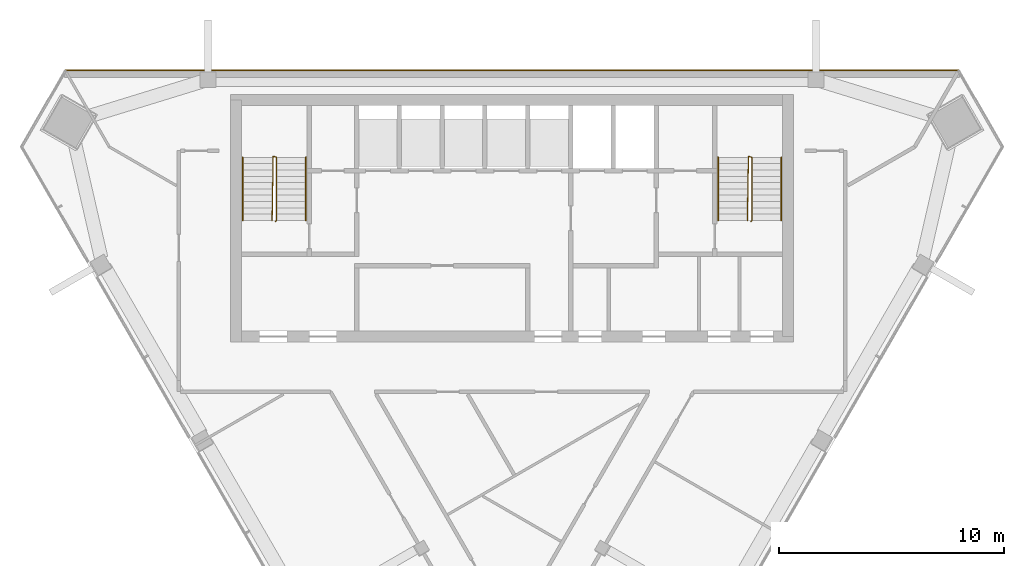
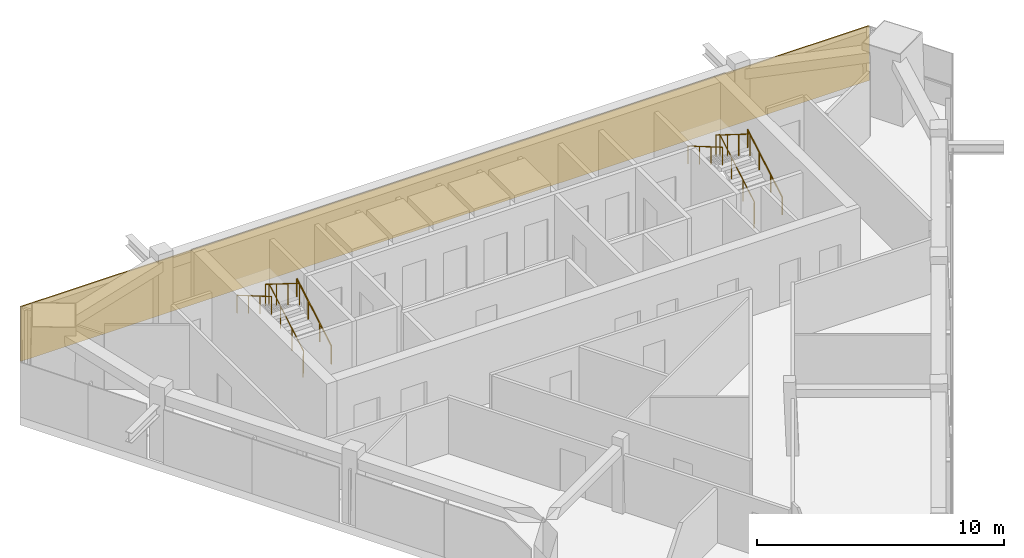
# One storey, part 8 of 9: 6 railings, 1 covering.
"""IFC4 building model written with IfcOpenShell, lengths in metres."""

from ifc_helpers import new_model, si_unit, direction, frame, frame_2d, origin, origin_2d, place, context, subcontext, project, spatial, rectangle, circle, extrude, material, layer, layer_set, type_object, element, save


model = new_model("IFC4")

# Units and contexts
model_context = context("Model", 3, precision=1e-05, world=origin(), true_north=direction((0.0, 1.0)))
body_context = subcontext(model_context, "Body", "Model", "MODEL_VIEW")
ifc_project = project(units=[si_unit("LENGTHUNIT", "METRE"), si_unit("AREAUNIT", "SQUARE_METRE"), si_unit("VOLUMEUNIT", "CUBIC_METRE"), si_unit("PLANEANGLEUNIT", "RADIAN"), si_unit("MASSUNIT", "GRAM", prefix="KILO")], contexts=[model_context])

# Site, building, storey
site_placement = place(None, origin())
site = spatial("IfcSite", under=ifc_project, at=site_placement, CompositionType="ELEMENT")
building_placement = place(site_placement, origin())
building = spatial("IfcBuilding", under=site, at=building_placement, Name="Altiplano Prism Tower", CompositionType="ELEMENT")
storey_placement = place(building_placement, frame((0.0, 0.0, 309.39990234375)))
storey = spatial("IfcBuildingStorey", under=building, at=storey_placement, Name="L80", CompositionType="ELEMENT", Elevation=309.39990234375)

# Railings
ifc_material_1 = material(Name="Steel S355", Category="steel")
railing_type_1 = type_object("IfcRailingType", Name="Stair guard 1100", PredefinedType="GUARDRAIL", material=ifc_material_1)
railing_1_placement = place(storey_placement, frame((74.5, 98.25, 0.0)))
element("IfcRailing", 1, at=railing_1_placement, inside=storey, type_object=railing_type_1, Name="L80 ST1 stair guard 1", PredefinedType="GUARDRAIL", context=body_context, shape_type="SweptSolid", body=[
    extrude(circle(Radius=0.02392578125, at=origin_2d()), frame((0.0, 0.0, 1.076171875), z_axis=(0.280456126637, 0.280456126637, 0.917980785237), x_axis=(-0.707106781187, 0.707106781187, 0.0)), (0.0, 0.0, 1.0), 0.178466796875),
    extrude(circle(Radius=0.02392578125, at=origin_2d()), frame((0.050048828125, 0.050048828125, 1.23974609375), z_axis=(0.0, 0.863393664356, 0.504530851732), x_axis=(-1.0, 0.0, 0.0)), (0.0, 0.0, 1.0), 3.2431640625),
    extrude(circle(Radius=0.02392578125, at=origin_2d()), frame((0.050048828125, 2.85009765625, 2.8759765625), z_axis=(-0.949145278916, 0.314838433982, 0.0), x_axis=(-0.314838433982, -0.949145278916, 0.0)), (0.0, 0.0, 1.0), 0.158203125),
    extrude(circle(Radius=0.02392578125, at=origin_2d()), frame((-0.10009765625, 2.89990234375, 2.8759765625), z_axis=(-0.01477401265, -0.845377694409, 0.533964682676), x_axis=(0.999847325713, -0.01747355902, 0.0)), (0.0, 0.0, 1.0), 3.37109375),
    extrude(circle(Radius=0.02099609375, at=origin_2d()), origin(), (0.0, 0.0, 1.0), 1.052001953125),
    extrude(circle(Radius=0.02099609375, at=origin_2d()), frame((0.050048828125, 0.050048828125, 0.163818359375)), (0.0, 0.0, 1.0), 1.052001953125),
    extrude(circle(Radius=0.02099609375, at=origin_2d()), frame((0.050048828125, 0.9833984375, 0.709228515625)), (0.0, 0.0, 1.0), 1.052001953125),
    extrude(circle(Radius=0.02099609375, at=origin_2d()), frame((0.050048828125, 1.916748046875, 1.254638671875)), (0.0, 0.0, 1.0), 1.052001953125),
    extrude(circle(Radius=0.02099609375, at=origin_2d()), frame((0.050048828125, 2.85009765625, 1.800048828125)), (0.0, 0.0, 1.0), 1.052001953125),
    extrude(circle(Radius=0.02099609375, at=origin_2d()), frame((-0.10009765625, 2.89990234375, 1.800048828125)), (0.0, 0.0, 1.0), 1.052001953125),
    extrude(circle(Radius=0.02099609375, at=origin_2d()), frame((-0.11669921875, 1.949951171875, 2.400146484375)), (0.0, 0.0, 1.0), 1.052001953125),
    extrude(circle(Radius=0.02099609375, at=origin_2d()), frame((-0.13330078125, 1.0, 3.0)), (0.0, 0.0, 1.0), 1.052001953125),
    extrude(circle(Radius=0.02099609375, at=origin_2d()), frame((-0.14990234375, 0.050048828125, 3.60009765625)), (0.0, 0.0, 1.0), 1.052001953125),
])
railing_2_placement = place(storey_placement, frame((95.60009765625, 98.25, 0.0)))
element("IfcRailing", 2, at=railing_2_placement, inside=storey, type_object=railing_type_1, Name="L80 ST2 stair guard 1", PredefinedType="GUARDRAIL", context=body_context, shape_type="SweptSolid", body=[
    extrude(circle(Radius=0.02392578125, at=origin_2d()), frame((0.0, 0.0, 1.076171875), z_axis=(0.279194930351, 0.280563532951, 0.91833234444), x_axis=(-0.708833529934, 0.705375805398, 0.0)), (0.0, 0.0, 1.0), 0.178466796875),
    extrude(circle(Radius=0.02392578125, at=origin_2d()), frame((0.0498046875, 0.050048828125, 1.23974609375), z_axis=(0.0, 0.863393664356, 0.504530851732), x_axis=(-1.0, 0.0, 0.0)), (0.0, 0.0, 1.0), 3.2431640625),
    extrude(circle(Radius=0.02392578125, at=origin_2d()), frame((0.0498046875, 2.85009765625, 2.8759765625), z_axis=(-0.948991962702, 0.315300261223, 0.0), x_axis=(-0.315300261223, -0.948991962702, 0.0)), (0.0, 0.0, 1.0), 0.157958984375),
    extrude(circle(Radius=0.02392578125, at=origin_2d()), frame((-0.10009765625, 2.89990234375, 2.8759765625), z_axis=(-0.014846418356, -0.845376787675, 0.533964109957), x_axis=(0.999845825584, -0.017559187376, 0.0)), (0.0, 0.0, 1.0), 3.37109375),
    extrude(circle(Radius=0.02099609375, at=origin_2d()), origin(), (0.0, 0.0, 1.0), 1.052001953125),
    extrude(circle(Radius=0.02099609375, at=origin_2d()), frame((0.0498046875, 0.050048828125, 0.163818359375)), (0.0, 0.0, 1.0), 1.052001953125),
    extrude(circle(Radius=0.02099609375, at=origin_2d()), frame((0.0498046875, 0.9833984375, 0.709228515625)), (0.0, 0.0, 1.0), 1.052001953125),
    extrude(circle(Radius=0.02099609375, at=origin_2d()), frame((0.0498046875, 1.916748046875, 1.254638671875)), (0.0, 0.0, 1.0), 1.052001953125),
    extrude(circle(Radius=0.02099609375, at=origin_2d()), frame((0.0498046875, 2.85009765625, 1.800048828125)), (0.0, 0.0, 1.0), 1.052001953125),
    extrude(circle(Radius=0.02099609375, at=origin_2d()), frame((-0.10009765625, 2.89990234375, 1.800048828125)), (0.0, 0.0, 1.0), 1.052001953125),
    extrude(circle(Radius=0.02099609375, at=origin_2d()), frame((-0.11669921875, 1.949951171875, 2.400146484375)), (0.0, 0.0, 1.0), 1.052001953125),
    extrude(circle(Radius=0.02099609375, at=origin_2d()), frame((-0.133544921875, 1.0, 3.0)), (0.0, 0.0, 1.0), 1.052001953125),
    extrude(circle(Radius=0.02099609375, at=origin_2d()), frame((-0.150146484375, 0.050048828125, 3.60009765625)), (0.0, 0.0, 1.0), 1.052001953125),
])
railing_type_2 = type_object("IfcRailingType", Name="Stair handrail 900", PredefinedType="HANDRAIL", material=ifc_material_1)
railing_3_placement = place(storey_placement, frame((75.85009765625, 98.300048828125, 0.163818359375)))
element("IfcRailing", 3, at=railing_3_placement, inside=storey, type_object=railing_type_2, Name="L80 ST1 stair handrail 1", PredefinedType="HANDRAIL", context=body_context, shape_type="SweptSolid", body=[
    extrude(circle(Radius=0.02392578125, at=origin_2d()), frame((0.0, 0.0, 0.8759765625), z_axis=(0.0, 0.863393664356, 0.504530851732), x_axis=(-1.0, 0.0, 0.0)), (0.0, 0.0, 1.0), 3.2431640625),
    extrude(circle(Radius=0.02099609375, at=origin_2d()), origin(), (0.0, 0.0, 1.0), 0.851806640625),
    extrude(circle(Radius=0.02099609375, at=origin_2d()), frame((0.0, 0.933349609375, 0.54541015625)), (0.0, 0.0, 1.0), 0.851806640625),
    extrude(circle(Radius=0.02099609375, at=origin_2d()), frame((0.0, 1.86669921875, 1.0908203125)), (0.0, 0.0, 1.0), 0.851806640625),
    extrude(circle(Radius=0.02099609375, at=origin_2d()), frame((0.0, 2.800048828125, 1.63623046875)), (0.0, 0.0, 1.0), 0.851806640625),
])
railing_4_placement = place(storey_placement, frame((73.050048828125, 101.10009765625, 1.963623046875)))
element("IfcRailing", 4, at=railing_4_placement, inside=storey, type_object=railing_type_2, Name="L80 ST1 stair handrail 2", PredefinedType="HANDRAIL", context=body_context, shape_type="SweptSolid", body=[
    extrude(circle(Radius=0.02392578125, at=origin_2d()), frame((0.0, 0.0, 0.8759765625), z_axis=(0.0, -0.863360870873, 0.504586966384), x_axis=(1.0, 0.0, 0.0)), (0.0, 0.0, 1.0), 3.2431640625),
    extrude(circle(Radius=0.02099609375, at=origin_2d()), origin(), (0.0, 0.0, 1.0), 0.851806640625),
    extrude(circle(Radius=0.02099609375, at=origin_2d()), frame((0.0, -0.933349609375, 0.54541015625)), (0.0, 0.0, 1.0), 0.851806640625),
    extrude(circle(Radius=0.02099609375, at=origin_2d()), frame((0.0, -1.86669921875, 1.091064453125)), (0.0, 0.0, 1.0), 0.851806640625),
    extrude(circle(Radius=0.02099609375, at=origin_2d()), frame((0.0, -2.800048828125, 1.636474609375)), (0.0, 0.0, 1.0), 0.851806640625),
])
railing_5_placement = place(storey_placement, frame((96.949951171875, 98.300048828125, 0.163818359375)))
element("IfcRailing", 5, at=railing_5_placement, inside=storey, type_object=railing_type_2, Name="L80 ST2 stair handrail 1", PredefinedType="HANDRAIL", context=body_context, shape_type="SweptSolid", body=[
    extrude(circle(Radius=0.02392578125, at=origin_2d()), frame((0.0, 0.0, 0.8759765625), z_axis=(0.0, 0.863393664356, 0.504530851732), x_axis=(-1.0, 0.0, 0.0)), (0.0, 0.0, 1.0), 3.2431640625),
    extrude(circle(Radius=0.02099609375, at=origin_2d()), origin(), (0.0, 0.0, 1.0), 0.851806640625),
    extrude(circle(Radius=0.02099609375, at=origin_2d()), frame((0.0, 0.933349609375, 0.54541015625)), (0.0, 0.0, 1.0), 0.851806640625),
    extrude(circle(Radius=0.02099609375, at=origin_2d()), frame((0.0, 1.86669921875, 1.0908203125)), (0.0, 0.0, 1.0), 0.851806640625),
    extrude(circle(Radius=0.02099609375, at=origin_2d()), frame((0.0, 2.800048828125, 1.63623046875)), (0.0, 0.0, 1.0), 0.851806640625),
])
railing_6_placement = place(storey_placement, frame((94.14990234375, 101.10009765625, 1.963623046875)))
element("IfcRailing", 6, at=railing_6_placement, inside=storey, type_object=railing_type_2, Name="L80 ST2 stair handrail 2", PredefinedType="HANDRAIL", context=body_context, shape_type="SweptSolid", body=[
    extrude(circle(Radius=0.02392578125, at=origin_2d()), frame((0.0, 0.0, 0.8759765625), z_axis=(0.0, -0.863360870873, 0.504586966384), x_axis=(1.0, 0.0, 0.0)), (0.0, 0.0, 1.0), 3.2431640625),
    extrude(circle(Radius=0.02099609375, at=origin_2d()), origin(), (0.0, 0.0, 1.0), 0.851806640625),
    extrude(circle(Radius=0.02099609375, at=origin_2d()), frame((0.0, -0.933349609375, 0.54541015625)), (0.0, 0.0, 1.0), 0.851806640625),
    extrude(circle(Radius=0.02099609375, at=origin_2d()), frame((0.0, -1.86669921875, 1.091064453125)), (0.0, 0.0, 1.0), 0.851806640625),
    extrude(circle(Radius=0.02099609375, at=origin_2d()), frame((0.0, -2.800048828125, 1.636474609375)), (0.0, 0.0, 1.0), 0.851806640625),
])

# Covering
ifc_material_2 = material(Name="Warm limestone cast stone", Category="masonry")
ifc_layer = layer(ifc_material_2, 0.06005859375)
ifc_layer_set = layer_set([ifc_layer], Name="Warm limestone cast stone")
covering_type = type_object("IfcCoveringType", Name="Stone cladding 60", PredefinedType="CLADDING", material=ifc_layer_set)
covering_placement = place(storey_placement, frame((65.138427734375, 104.969970703125, 0.0), z_axis=(0.0, 0.0, 1.0), x_axis=(1.0, 0.0, 0.0)))
element("IfcCovering", 7, at=covering_placement, inside=storey, type_object=covering_type, Name="Stone cladding north face L80", PredefinedType="CLADDING", context=body_context, shape_type="SweptSolid", body=[
    extrude(rectangle(XDim=39.72314453125, YDim=0.06005859375, at=frame_2d((19.861572265625, 0.0))), origin(), (0.0, 0.0, 1.0), 2.7001953125),
])

save(model, "model.ifc")
